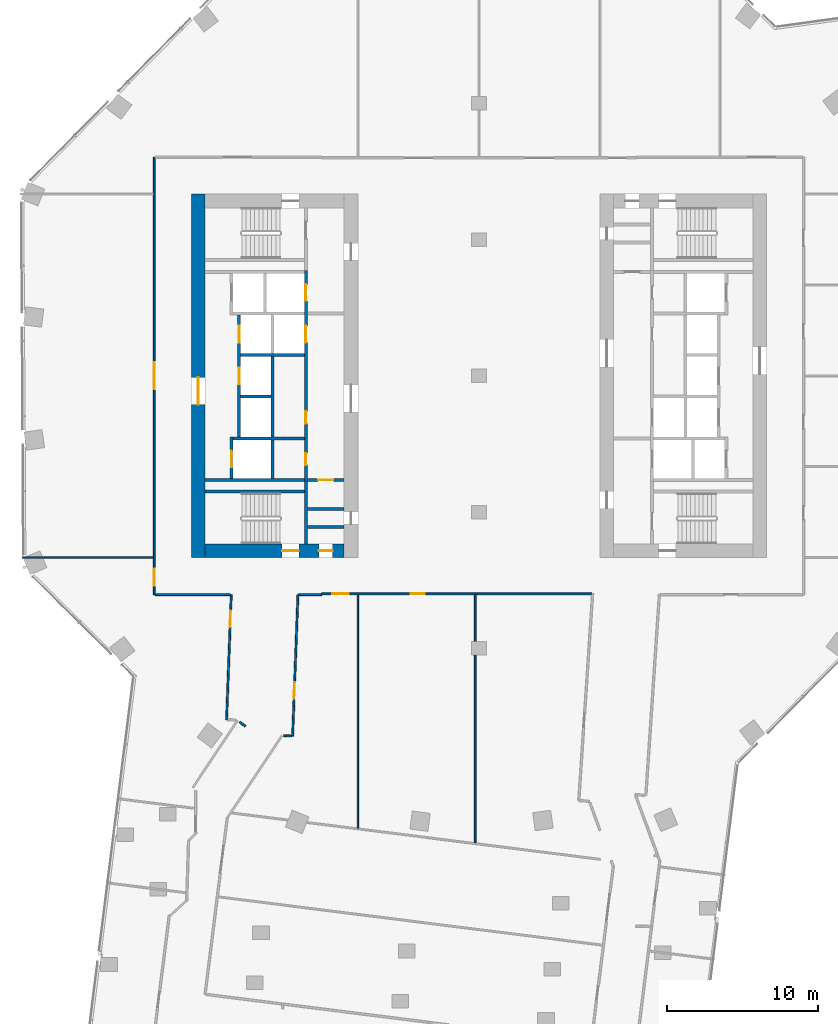
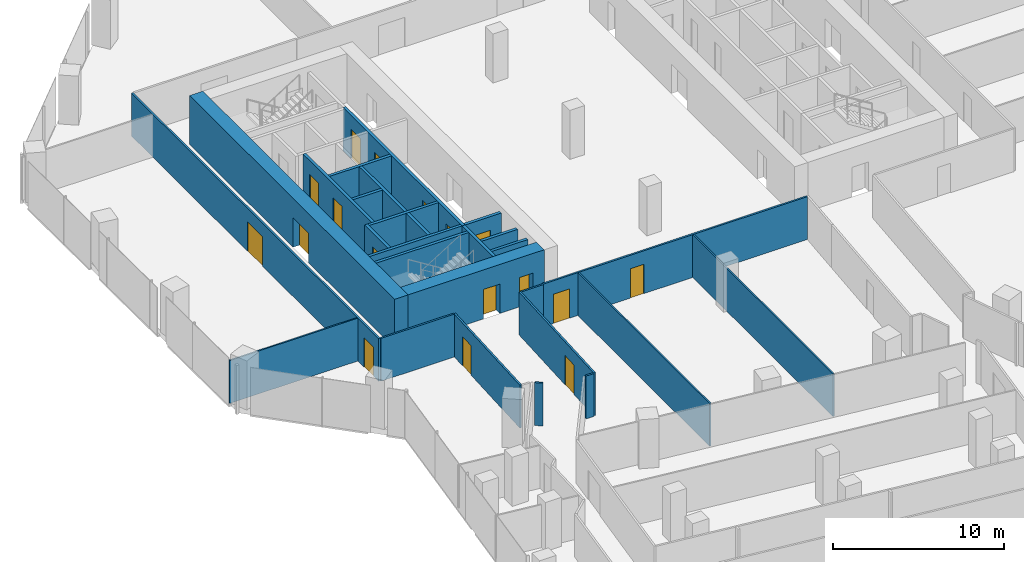
# One storey, part 20 of 27: 27 walls, 17 doors, 17 openings.
"""IFC4 building model written with IfcOpenShell, lengths in metres."""

from ifc_helpers import new_model, si_unit, direction, frame, frame_2d, origin, place, context, subcontext, project, spatial, rectangle, extrude, material, layer, layer_set, type_object, element, fill, save


model = new_model("IFC4")

# Units and contexts
model_context = context("Model", 3, precision=1e-05, world=origin(), true_north=direction((0.0, 1.0)))
body_context = subcontext(model_context, "Body", "Model", "MODEL_VIEW")
ifc_project = project(units=[si_unit("LENGTHUNIT", "METRE"), si_unit("AREAUNIT", "SQUARE_METRE"), si_unit("VOLUMEUNIT", "CUBIC_METRE"), si_unit("PLANEANGLEUNIT", "RADIAN"), si_unit("MASSUNIT", "GRAM", prefix="KILO")], contexts=[model_context])

# Site, building, storey
site_placement = place(None, origin())
site = spatial("IfcSite", under=ifc_project, at=site_placement, CompositionType="ELEMENT")
building_placement = place(site_placement, origin())
building = spatial("IfcBuilding", under=site, at=building_placement, Name="Orlundy Tower", CompositionType="ELEMENT")
storey_placement = place(building_placement, frame((0.0, 0.0, 192.10009765625)))
storey = spatial("IfcBuildingStorey", under=building, at=storey_placement, Name="L50", CompositionType="ELEMENT", Elevation=192.10009765625)

# Wall, openings, doors
ifc_material_1 = material(Name="Concrete C70/85", Category="concrete")
ifc_layer_1 = layer(ifc_material_1, 0.89990234375)
ifc_layer_set_1 = layer_set([ifc_layer_1], Name="CORE WALL 900 C70/85")
wall_type_1 = type_object("IfcWallType", Name="CORE WALL 900 C70/85", PredefinedType="SHEAR", material=ifc_layer_set_1)
wall_1_placement = place(storey_placement, frame((-18.10009765625, -11.550048828125, 0.0), z_axis=(0.0, 0.0, 1.0), x_axis=(1.0, 0.0, 0.0)))
wall_1 = element("IfcWall", 1, at=wall_1_placement, inside=storey, type_object=wall_type_1, Name="Core wall W-S L50", PredefinedType="SHEAR", context=body_context, shape_type="SweptSolid", body=[
    extrude(rectangle(XDim=9.2001953125, YDim=0.89990234375, at=frame_2d((4.60009765625, 0.0))), origin(), (0.0, 0.0, 1.0), 3.5),
])
opening_1_placement = place(wall_1_placement, frame((5.10009765625, 0.0, 0.0)))
opening_1 = element("IfcOpeningElement", 2, at=opening_1_placement, cuts=wall_1, Name="Opening 39013", PredefinedType="OPENING", context=body_context, shape_type="SweptSolid", body=[
    extrude(rectangle(XDim=1.10009765625, YDim=2.10009765625, at=frame_2d((0.550048828125, 1.050048828125))), frame((0.0, 0.4599609375, 0.0), z_axis=(0.0, -1.0, 0.0), x_axis=(1.0, 0.0, 0.0)), (0.0, 0.0, 1.0), 0.919921875),
])
opening_2_placement = place(wall_1_placement, frame((7.530029296875, 0.0, 0.0)))
opening_2 = element("IfcOpeningElement", 3, at=opening_2_placement, cuts=wall_1, Name="Opening 39015", PredefinedType="OPENING", context=body_context, shape_type="SweptSolid", body=[
    extrude(rectangle(XDim=0.89990234375, YDim=2.10009765625, at=frame_2d((0.449951171875, 1.050048828125))), frame((0.0, 0.4599609375, 0.0), z_axis=(0.0, -1.0, 0.0), x_axis=(1.0, 0.0, 0.0)), (0.0, 0.0, 1.0), 0.919921875),
])
ifc_material_2 = material(Name="Timber door set", Category="wood")
door_type_1 = type_object("IfcDoorType", Name="Room Door 900x2100", OperationType="SINGLE_SWING_LEFT", PredefinedType="DOOR", material=ifc_material_2)
door_1_placement = place(opening_2_placement, origin())
door_1 = element("IfcDoor", 4, at=door_1_placement, inside=storey, type_object=door_type_1, Name="Store door 39015", OperationType="SINGLE_SWING_RIGHT", OverallHeight=2.10009765625, OverallWidth=0.89990234375, PredefinedType="DOOR", context=body_context, shape_type="SweptSolid", body=[
    extrude(rectangle(XDim=0.89990234375, YDim=2.10009765625, at=frame_2d((0.449951171875, 1.050048828125))), frame((0.0, 0.02490234375, 0.0), z_axis=(0.0, -1.0, 0.0), x_axis=(1.0, 0.0, 0.0)), (0.0, 0.0, 1.0), 0.050048828125),
])
fill(opening_2, door_1)
ifc_material_3 = material(Name="Steel door set", Category="steel")
door_type_2 = type_object("IfcDoorType", Name="Stair Door 1100x2100", OperationType="SINGLE_SWING_LEFT", PredefinedType="DOOR", material=ifc_material_3)
door_2_placement = place(opening_1_placement, origin())
door_2 = element("IfcDoor", 5, at=door_2_placement, inside=storey, type_object=door_type_2, Name="Stair door 39013", OperationType="SINGLE_SWING_RIGHT", OverallHeight=2.10009765625, OverallWidth=1.10009765625, PredefinedType="DOOR", context=body_context, shape_type="SweptSolid", body=[
    extrude(rectangle(XDim=1.10009765625, YDim=2.10009765625, at=frame_2d((0.550048828125, 1.050048828125))), frame((0.0, 0.02490234375, 0.0), z_axis=(0.0, -1.0, 0.0), x_axis=(1.0, 0.0, 0.0)), (0.0, 0.0, 1.0), 0.050048828125),
])
fill(opening_1, door_2)

# Wall, opening, door
wall_2_placement = place(storey_placement, frame((-18.550048828125, -12.0, 0.0), z_axis=(0.0, 0.0, 1.0), x_axis=(0.0, 1.0, 0.0)))
wall_2 = element("IfcWall", 6, at=wall_2_placement, inside=storey, type_object=wall_type_1, Name="Core wall W-W L50", PredefinedType="SHEAR", context=body_context, shape_type="SweptSolid", body=[
    extrude(rectangle(XDim=24.0, YDim=0.89990234375, at=frame_2d((12.0, 0.0))), origin(), (0.0, 0.0, 1.0), 3.5),
])
opening_3_placement = place(wall_2_placement, frame((10.10009765625, 0.0, 0.0)))
opening_3 = element("IfcOpeningElement", 7, at=opening_3_placement, cuts=wall_2, Name="Opening 39010", PredefinedType="OPENING", context=body_context, shape_type="SweptSolid", body=[
    extrude(rectangle(XDim=1.800048828125, YDim=2.10009765625, at=frame_2d((0.89990234375, 1.050048828125))), frame((0.0, 0.4599609375, 0.0), z_axis=(0.0, -1.0, 0.0), x_axis=(1.0, 0.0, 0.0)), (0.0, 0.0, 1.0), 0.919921875),
])
ifc_material_4 = material(Name="Timber door set", Category="wood")
door_type_3 = type_object("IfcDoorType", Name="Lobby Door 1800x2100", OperationType="DOUBLE_DOOR_DOUBLE_SWING", PredefinedType="DOOR", material=ifc_material_4)
door_3_placement = place(opening_3_placement, origin())
door_3 = element("IfcDoor", 8, at=door_3_placement, inside=storey, type_object=door_type_3, Name="Lift lobby door 39010", OperationType="SINGLE_SWING_LEFT", OverallHeight=2.10009765625, OverallWidth=1.800048828125, PredefinedType="DOOR", context=body_context, shape_type="SweptSolid", body=[
    extrude(rectangle(XDim=1.800048828125, YDim=2.10009765625, at=frame_2d((0.89990234375, 1.050048828125))), frame((0.0, 0.02490234375, 0.0), z_axis=(0.0, -1.0, 0.0), x_axis=(1.0, 0.0, 0.0)), (0.0, 0.0, 1.0), 0.050048828125),
])
fill(opening_3, door_3)

# Walls
ifc_material_5 = material(Name="Gypsum board partition")
ifc_layer_2 = layer(ifc_material_5, 0.10009765625)
ifc_layer_set_2 = layer_set([ifc_layer_2], Name="Floor partition 100")
wall_type_2 = type_object("IfcWallType", Name="Floor partition 100", PredefinedType="PARTITIONING", material=ifc_layer_set_2)
wall_3_placement = place(storey_placement, frame((-30.179931640625, -12.0, 0.0), z_axis=(0.0, 0.0, 1.0), x_axis=(1.0, 0.0, 0.0)))
element("IfcWall", 9, at=wall_3_placement, inside=storey, type_object=wall_type_2, Name="wall-int-L50-033", PredefinedType="PARTITIONING", context=body_context, shape_type="SweptSolid", body=[
    extrude(rectangle(XDim=8.66796875, YDim=0.10009765625, at=frame_2d((4.333984375, 0.0))), origin(), (0.0, 0.0, 1.0), 3.059814453125),
])
wall_4_placement = place(storey_placement, frame((-0.242919921875, -30.85400390625, 0.0), z_axis=(0.0, 0.0, 1.0), x_axis=(0.0, 1.0, 0.0)))
element("IfcWall", 10, at=wall_4_placement, inside=storey, type_object=wall_type_2, Name="wall-int-L50-072", PredefinedType="PARTITIONING", context=body_context, shape_type="SweptSolid", body=[
    extrude(rectangle(XDim=16.39111328125, YDim=0.10009765625, at=frame_2d((8.195556640625, 0.0))), origin(), (0.0, 0.0, 1.0), 3.059814453125),
])
wall_5_placement = place(storey_placement, frame((-8.0, -29.87890625, 0.0), z_axis=(0.0, 0.0, 1.0), x_axis=(0.0, 1.0, 0.0)))
element("IfcWall", 11, at=wall_5_placement, inside=storey, type_object=wall_type_2, Name="wall-int-L50-074", PredefinedType="PARTITIONING", context=body_context, shape_type="SweptSolid", body=[
    extrude(rectangle(XDim=15.416015625, YDim=0.10009765625, at=frame_2d((7.7080078125, 0.0))), origin(), (0.0, 0.0, 1.0), 3.059814453125),
])
ifc_material_6 = material(Name="Gypsum board partition, double layer")
ifc_layer_3 = layer(ifc_material_6, 0.125)
ifc_layer_set_3 = layer_set([ifc_layer_3], Name="Floor partition 125")
wall_type_3 = type_object("IfcWallType", Name="Floor partition 125", PredefinedType="PARTITIONING", material=ifc_layer_set_3)
wall_6_placement = place(storey_placement, frame((-15.81201171875, -22.864013671875, 0.0), z_axis=(0.0, 0.0, 1.0), x_axis=(0.800662960461, -0.599115033817, 0.0)))
element("IfcWall", 12, at=wall_6_placement, inside=storey, type_object=wall_type_3, Name="wall-int-L50-005", PredefinedType="PARTITIONING", context=body_context, shape_type="SweptSolid", body=[
    extrude(rectangle(XDim=0.48583984375, YDim=0.125, at=frame_2d((0.242919921875, 0.0))), origin(), (0.0, 0.0, 1.0), 3.059814453125),
])
wall_7_placement = place(storey_placement, frame((-12.89697265625, -23.77294921875, 0.0), z_axis=(0.0, 0.0, 1.0), x_axis=(0.99927617333, -0.038041154231, 0.0)))
element("IfcWall", 13, at=wall_7_placement, inside=storey, type_object=wall_type_3, Name="wall-int-L50-024", PredefinedType="PARTITIONING", context=body_context, shape_type="SweptSolid", body=[
    extrude(rectangle(XDim=0.5263671875, YDim=0.125, at=frame_2d((0.26318359375, 0.0))), origin(), (0.0, 0.0, 1.0), 3.059814453125),
])
wall_8_placement = place(storey_placement, frame((-21.386962890625, -14.450927734375, 0.0), z_axis=(0.0, 0.0, 1.0), x_axis=(1.0, 0.0, 0.0)))
element("IfcWall", 14, at=wall_8_placement, inside=storey, type_object=wall_type_3, Name="wall-int-L50-029", PredefinedType="PARTITIONING", context=body_context, shape_type="SweptSolid", body=[
    extrude(rectangle(XDim=4.962890625, YDim=0.125, at=frame_2d((2.4814453125, 0.0))), origin(), (0.0, 0.0, 1.0), 3.059814453125),
])
wall_9_placement = place(storey_placement, frame((-11.89501953125, -14.450927734375, 0.0), z_axis=(0.0, 0.0, 1.0), x_axis=(1.0, 0.0, 0.0)))
element("IfcWall", 15, at=wall_9_placement, inside=storey, type_object=wall_type_3, Name="wall-int-L50-030", PredefinedType="PARTITIONING", context=body_context, shape_type="SweptSolid", body=[
    extrude(rectangle(XDim=1.50390625, YDim=0.125, at=frame_2d((0.751953125, 0.0))), origin(), (0.0, 0.0, 1.0), 3.059814453125),
])

# Wall, openings, doors
wall_10_placement = place(storey_placement, frame((7.449951171875, -14.40087890625, 0.0), z_axis=(0.0, 0.0, 1.0), x_axis=(-1.0, 0.0, 0.0)))
wall_10 = element("IfcWall", 16, at=wall_10_placement, inside=storey, type_object=wall_type_3, Name="wall-int-L50-032", PredefinedType="PARTITIONING", context=body_context, shape_type="SweptSolid", body=[
    extrude(rectangle(XDim=17.83984375, YDim=0.125, at=frame_2d((8.919921875, 0.0))), origin(), (0.0, 0.0, 1.0), 3.059814453125),
])
opening_4_placement = place(wall_10_placement, frame((16.050537109375, 0.0, 0.0)))
opening_4 = element("IfcOpeningElement", 17, at=opening_4_placement, cuts=wall_10, Name="Opening 39114", PredefinedType="OPENING", context=body_context, shape_type="SweptSolid", body=[
    extrude(rectangle(XDim=1.10009765625, YDim=2.10009765625, at=frame_2d((0.550048828125, 1.050048828125))), frame((0.0, 0.072509765625, 0.0), z_axis=(0.0, -1.0, 0.0), x_axis=(1.0, 0.0, 0.0)), (0.0, 0.0, 1.0), 0.14501953125),
])
opening_5_placement = place(wall_10_placement, frame((11.04345703125, 0.0, 0.0)))
opening_5 = element("IfcOpeningElement", 18, at=opening_5_placement, cuts=wall_10, Name="Opening 39115", PredefinedType="OPENING", context=body_context, shape_type="SweptSolid", body=[
    extrude(rectangle(XDim=0.89990234375, YDim=2.10009765625, at=frame_2d((0.449951171875, 1.050048828125))), frame((0.0, 0.072509765625, 0.0), z_axis=(0.0, -1.0, 0.0), x_axis=(1.0, 0.0, 0.0)), (0.0, 0.0, 1.0), 0.14501953125),
])
ifc_material_7 = material(Name="Timber door leaf", Category="wood")
door_type_4 = type_object("IfcDoorType", Name="Floor door single 900 FD30S", OperationType="NOTDEFINED", PredefinedType="DOOR", material=ifc_material_7)
door_4_placement = place(opening_5_placement, origin())
door_4 = element("IfcDoor", 19, at=door_4_placement, inside=storey, type_object=door_type_4, Name="Door 39115", OperationType="SINGLE_SWING_RIGHT", OverallHeight=2.10009765625, OverallWidth=0.89990234375, PredefinedType="DOOR", context=body_context, shape_type="SweptSolid", body=[
    extrude(rectangle(XDim=0.89990234375, YDim=2.10009765625, at=frame_2d((0.449951171875, 1.050048828125))), frame((0.0, 0.02490234375, 0.0), z_axis=(0.0, -1.0, 0.0), x_axis=(1.0, 0.0, 0.0)), (0.0, 0.0, 1.0), 0.050048828125),
])
fill(opening_5, door_4)
ifc_material_8 = material(Name="Timber door leaf", Category="wood")
door_type_5 = type_object("IfcDoorType", Name="Floor door xwide 1100 FD30S", OperationType="NOTDEFINED", PredefinedType="DOOR", material=ifc_material_8)
door_5_placement = place(opening_4_placement, origin())
door_5 = element("IfcDoor", 20, at=door_5_placement, inside=storey, type_object=door_type_5, Name="Door 39114", OperationType="SINGLE_SWING_RIGHT", OverallHeight=2.10009765625, OverallWidth=1.10009765625, PredefinedType="DOOR", context=body_context, shape_type="SweptSolid", body=[
    extrude(rectangle(XDim=1.10009765625, YDim=2.10009765625, at=frame_2d((0.550048828125, 1.050048828125))), frame((0.0, 0.02490234375, 0.0), z_axis=(0.0, -1.0, 0.0), x_axis=(1.0, 0.0, 0.0)), (0.0, 0.0, 1.0), 0.050048828125),
])
fill(opening_4, door_5)

# Wall, opening, door
wall_11_placement = place(storey_placement, frame((-11.95703125, -14.449951171875, 0.0), z_axis=(0.0, 0.0, 1.0), x_axis=(-0.037646049024, -0.999291136253, 0.0)))
wall_11 = element("IfcWall", 21, at=wall_11_placement, inside=storey, type_object=wall_type_3, Name="wall-int-L50-065", PredefinedType="PARTITIONING", context=body_context, shape_type="SweptSolid", body=[
    extrude(rectangle(XDim=9.3515625, YDim=0.125, at=frame_2d((4.67578125, 0.0))), origin(), (0.0, 0.0, 1.0), 3.059814453125),
])
opening_6_placement = place(wall_11_placement, frame((5.7822265625, 0.0, 0.0)))
opening_6 = element("IfcOpeningElement", 22, at=opening_6_placement, cuts=wall_11, Name="Opening 39113", PredefinedType="OPENING", context=body_context, shape_type="SweptSolid", body=[
    extrude(rectangle(XDim=1.10009765625, YDim=2.10009765625, at=frame_2d((0.550048828125, 1.050048828125))), frame((0.0, 0.072509765625, 0.0), z_axis=(0.0, -1.0, 0.0), x_axis=(1.0, 0.0, 0.0)), (0.0, 0.0, 1.0), 0.14501953125),
])
door_6_placement = place(opening_6_placement, origin())
door_6 = element("IfcDoor", 23, at=door_6_placement, inside=storey, type_object=door_type_5, Name="Door 39113", OperationType="SINGLE_SWING_RIGHT", OverallHeight=2.10009765625, OverallWidth=1.10009765625, PredefinedType="DOOR", context=body_context, shape_type="SweptSolid", body=[
    extrude(rectangle(XDim=1.10009765625, YDim=2.10009765625, at=frame_2d((0.550048828125, 1.050048828125))), frame((0.0, 0.02490234375, 0.0), z_axis=(0.0, -1.0, 0.0), x_axis=(1.0, 0.0, 0.0)), (0.0, 0.0, 1.0), 0.050048828125),
])
fill(opening_6, door_6)

wall_12_placement = place(storey_placement, frame((-16.673095703125, -22.717041015625, 0.0), z_axis=(0.0, 0.0, 1.0), x_axis=(0.037714570023, 0.999288552525, 0.0)))
wall_12 = element("IfcWall", 24, at=wall_12_placement, inside=storey, type_object=wall_type_3, Name="wall-int-L50-066", PredefinedType="PARTITIONING", context=body_context, shape_type="SweptSolid", body=[
    extrude(rectangle(XDim=8.27294921875, YDim=0.125, at=frame_2d((4.136474609375, 0.0))), origin(), (0.0, 0.0, 1.0), 3.059814453125),
])
opening_7_placement = place(wall_12_placement, frame((6.107666015625, 0.0, 0.0)))
opening_7 = element("IfcOpeningElement", 25, at=opening_7_placement, cuts=wall_12, Name="Opening 39112", PredefinedType="OPENING", context=body_context, shape_type="SweptSolid", body=[
    extrude(rectangle(XDim=1.10009765625, YDim=2.10009765625, at=frame_2d((0.550048828125, 1.050048828125))), frame((0.0, 0.072509765625, 0.0), z_axis=(0.0, -1.0, 0.0), x_axis=(1.0, 0.0, 0.0)), (0.0, 0.0, 1.0), 0.14501953125),
])
door_7_placement = place(opening_7_placement, origin())
door_7 = element("IfcDoor", 26, at=door_7_placement, inside=storey, type_object=door_type_5, Name="Door 39112", OperationType="SINGLE_SWING_RIGHT", OverallHeight=2.10009765625, OverallWidth=1.10009765625, PredefinedType="DOOR", context=body_context, shape_type="SweptSolid", body=[
    extrude(rectangle(XDim=1.10009765625, YDim=2.10009765625, at=frame_2d((0.550048828125, 1.050048828125))), frame((0.0, 0.02490234375, 0.0), z_axis=(0.0, -1.0, 0.0), x_axis=(1.0, 0.0, 0.0)), (0.0, 0.0, 1.0), 0.050048828125),
])
fill(opening_7, door_7)

# Wall, openings, doors
wall_13_placement = place(storey_placement, frame((-21.449951171875, -14.450927734375, 0.0), z_axis=(0.0, 0.0, 1.0), x_axis=(0.0, 1.0, 0.0)))
wall_13 = element("IfcWall", 27, at=wall_13_placement, inside=storey, type_object=wall_type_3, Name="wall-int-L50-078", PredefinedType="PARTITIONING", context=body_context, shape_type="SweptSolid", body=[
    extrude(rectangle(XDim=28.90185546875, YDim=0.125, at=frame_2d((14.450927734375, 0.0))), origin(), (0.0, 0.0, 1.0), 3.059814453125),
])
opening_8_placement = place(wall_13_placement, frame((0.60009765625, 0.0, 0.0)))
opening_8 = element("IfcOpeningElement", 28, at=opening_8_placement, cuts=wall_13, Name="Opening 39111", PredefinedType="OPENING", context=body_context, shape_type="SweptSolid", body=[
    extrude(rectangle(XDim=1.10009765625, YDim=2.10009765625, at=frame_2d((0.550048828125, 1.050048828125))), frame((0.0, 0.072509765625, 0.0), z_axis=(0.0, -1.0, 0.0), x_axis=(1.0, 0.0, 0.0)), (0.0, 0.0, 1.0), 0.14501953125),
])
opening_9_placement = place(wall_13_placement, frame((13.551025390625, 0.0, 0.0)))
opening_9 = element("IfcOpeningElement", 29, at=opening_9_placement, cuts=wall_13, Name="Opening 39127", PredefinedType="OPENING", context=body_context, shape_type="SweptSolid", body=[
    extrude(rectangle(XDim=1.800048828125, YDim=2.10009765625, at=frame_2d((0.89990234375, 1.050048828125))), frame((0.0, 0.072509765625, 0.0), z_axis=(0.0, -1.0, 0.0), x_axis=(1.0, 0.0, 0.0)), (0.0, 0.0, 1.0), 0.14501953125),
])
ifc_material_9 = material(Name="Timber door leaf", Category="wood")
door_type_6 = type_object("IfcDoorType", Name="Floor door double 1800 FD30S", OperationType="NOTDEFINED", PredefinedType="DOOR", material=ifc_material_9)
door_8_placement = place(opening_9_placement, origin())
door_8 = element("IfcDoor", 30, at=door_8_placement, inside=storey, type_object=door_type_6, Name="Door 39127", OperationType="DOUBLE_DOOR_SINGLE_SWING", OverallHeight=2.10009765625, OverallWidth=1.800048828125, PredefinedType="DOOR", context=body_context, shape_type="SweptSolid", body=[
    extrude(rectangle(XDim=1.800048828125, YDim=2.10009765625, at=frame_2d((0.89990234375, 1.050048828125))), frame((0.0, 0.02490234375, 0.0), z_axis=(0.0, -1.0, 0.0), x_axis=(1.0, 0.0, 0.0)), (0.0, 0.0, 1.0), 0.050048828125),
])
fill(opening_9, door_8)
door_9_placement = place(opening_8_placement, origin())
door_9 = element("IfcDoor", 31, at=door_9_placement, inside=storey, type_object=door_type_5, Name="Door 39111", OperationType="SINGLE_SWING_LEFT", OverallHeight=2.10009765625, OverallWidth=1.10009765625, PredefinedType="DOOR", context=body_context, shape_type="SweptSolid", body=[
    extrude(rectangle(XDim=1.10009765625, YDim=2.10009765625, at=frame_2d((0.550048828125, 1.050048828125))), frame((0.0, 0.02490234375, 0.0), z_axis=(0.0, -1.0, 0.0), x_axis=(1.0, 0.0, 0.0)), (0.0, 0.0, 1.0), 0.050048828125),
])
fill(opening_8, door_9)

# Walls
ifc_material_10 = material(Name="Concrete C40/50", Category="concrete")
ifc_layer_4 = layer(ifc_material_10, 0.199951171875)
ifc_layer_set_4 = layer_set([ifc_layer_4], Name="Load-bearing Shaft Wall 200")
wall_type_4 = type_object("IfcWallType", Name="Load-bearing Shaft Wall 200", PredefinedType="SOLIDWALL", material=ifc_layer_set_4)
wall_14_placement = place(storey_placement, frame((-11.43994140625, -11.10009765625, 0.0), z_axis=(0.0, 0.0, 1.0), x_axis=(0.0, 1.0, 0.0)))
element("IfcWall", 32, at=wall_14_placement, inside=storey, type_object=wall_type_4, Name="Shaft wall W39-stair-end-s", PredefinedType="SOLIDWALL", context=body_context, shape_type="SweptSolid", body=[
    extrude(rectangle(XDim=4.125, YDim=0.199951171875, at=frame_2d((2.0625, 0.0))), origin(), (0.0, 0.0, 1.0), 3.079833984375),
])
wall_15_placement = place(storey_placement, frame((-11.5400390625, -7.64990234375, 0.0), z_axis=(0.0, 0.0, 1.0), x_axis=(-1.0, 0.0, 0.0)))
element("IfcWall", 33, at=wall_15_placement, inside=storey, type_object=wall_type_4, Name="Shaft wall W39-stair-side-s", PredefinedType="SOLIDWALL", context=body_context, shape_type="SweptSolid", body=[
    extrude(rectangle(XDim=6.56005859375, YDim=0.199951171875, at=frame_2d((3.280029296875, 0.0))), origin(), (0.0, 0.0, 1.0), 3.079833984375),
])

# Wall, opening, door
ifc_material_11 = material(Name="Gypsum board partition on steel studs", Category="steel")
ifc_layer_5 = layer(ifc_material_11, 0.199951171875)
ifc_layer_set_5 = layer_set([ifc_layer_5], Name="Partition 200")
wall_type_5 = type_object("IfcWallType", Name="Partition 200", PredefinedType="PARTITIONING", material=ifc_layer_set_5)
wall_16_placement = place(storey_placement, frame((-8.89990234375, -6.875, 0.0), z_axis=(0.0, 0.0, 1.0), x_axis=(-1.0, 0.0, 0.0)))
wall_16 = element("IfcWall", 34, at=wall_16_placement, inside=storey, type_object=wall_type_5, Name="Partition wall W39-end-s", PredefinedType="PARTITIONING", context=body_context, shape_type="SweptSolid", body=[
    extrude(rectangle(XDim=2.440185546875, YDim=0.199951171875, at=frame_2d((1.22021484375, 0.0))), origin(), (0.0, 0.0, 1.0), 3.079833984375),
])
opening_10_placement = place(wall_16_placement, frame((0.719970703125, 0.0, 0.0)))
opening_10 = element("IfcOpeningElement", 35, at=opening_10_placement, cuts=wall_16, Name="Opening 39017", PredefinedType="OPENING", context=body_context, shape_type="SweptSolid", body=[
    extrude(rectangle(XDim=1.0, YDim=2.10009765625, at=frame_2d((0.5, 1.050048828125))), frame((0.0, 0.110107421875, 0.0), z_axis=(0.0, -1.0, 0.0), x_axis=(1.0, 0.0, 0.0)), (0.0, 0.0, 1.0), 0.22021484375),
])
ifc_material_12 = material(Name="Timber door set", Category="wood")
door_type_7 = type_object("IfcDoorType", Name="Accessible Door 1000x2100", OperationType="SINGLE_SWING_LEFT", PredefinedType="DOOR", material=ifc_material_12)
door_10_placement = place(opening_10_placement, origin())
door_10 = element("IfcDoor", 36, at=door_10_placement, inside=storey, type_object=door_type_7, Name="Accessible WC door 39017", OperationType="SINGLE_SWING_RIGHT", OverallHeight=2.10009765625, OverallWidth=1.0, PredefinedType="DOOR", context=body_context, shape_type="SweptSolid", body=[
    extrude(rectangle(XDim=1.0, YDim=2.10009765625, at=frame_2d((0.5, 1.050048828125))), frame((0.0, 0.02490234375, 0.0), z_axis=(0.0, -1.0, 0.0), x_axis=(1.0, 0.0, 0.0)), (0.0, 0.0, 1.0), 0.050048828125),
])
fill(opening_10, door_10)

# Walls
for number, where, z_axis, x_axis, name in (
    (37, (-8.89990234375, -10.0, 0.0), (0.0, 0.0, 1.0), (-1.0, 0.0, 0.0), "Partition wall W39-room-s0"),
    (38, (-8.89990234375, -8.800048828125, 0.0), (0.0, 0.0, 1.0), (-1.0, 0.0, 0.0), "Partition wall W39-room-s1"),
):
    element("IfcWall", number, at=place(storey_placement, frame(where, z_axis=z_axis, x_axis=x_axis)), inside=storey, type_object=wall_type_5, Name=name, PredefinedType="PARTITIONING", context=body_context, shape_type="SweptSolid", body=[
        extrude(rectangle(XDim=2.440185546875, YDim=0.199951171875, at=frame_2d((1.22021484375, 0.0))), origin(), (0.0, 0.0, 1.0), 3.079833984375),
    ])
ifc_material_13 = material(Name="Fire-rated blockwork shaft wall", Category="masonry")
ifc_layer_6 = layer(ifc_material_13, 0.199951171875)
ifc_layer_set_6 = layer_set([ifc_layer_6], Name="Shaft Wall 200")
wall_type_6 = type_object("IfcWallType", Name="Shaft Wall 200", PredefinedType="SOLIDWALL", material=ifc_layer_set_6)
wall_17_placement = place(storey_placement, frame((-11.5400390625, -6.875, 0.0), z_axis=(0.0, 0.0, 1.0), x_axis=(-1.0, 0.0, 0.0)))
element("IfcWall", 39, at=wall_17_placement, inside=storey, type_object=wall_type_6, Name="Shaft wall W39-zone-s", PredefinedType="SOLIDWALL", context=body_context, shape_type="SweptSolid", body=[
    extrude(rectangle(XDim=6.56005859375, YDim=0.199951171875, at=frame_2d((3.280029296875, 0.0))), origin(), (0.0, 0.0, 1.0), 3.079833984375),
])
wall_18_placement = place(storey_placement, frame((-11.5400390625, -4.125, 0.0), z_axis=(0.0, 0.0, 1.0), x_axis=(-1.0, 0.0, 0.0)))
element("IfcWall", 40, at=wall_18_placement, inside=storey, type_object=wall_type_6, Name="Shaft wall W39-cross-4.125", PredefinedType="SOLIDWALL", context=body_context, shape_type="SweptSolid", body=[
    extrude(rectangle(XDim=4.699951171875, YDim=0.199951171875, at=frame_2d((2.35009765625, 0.0))), origin(), (0.0, 0.0, 1.0), 3.079833984375),
])
wall_19_placement = place(storey_placement, frame((-13.739990234375, -1.375, 0.0), z_axis=(0.0, 0.0, 1.0), x_axis=(-1.0, 0.0, 0.0)))
element("IfcWall", 41, at=wall_19_placement, inside=storey, type_object=wall_type_6, Name="Shaft wall W39-cross-1.375", PredefinedType="SOLIDWALL", context=body_context, shape_type="SweptSolid", body=[
    extrude(rectangle(XDim=2.0, YDim=0.199951171875, at=frame_2d((1.0, 0.0))), origin(), (0.0, 0.0, 1.0), 3.079833984375),
])
wall_20_placement = place(storey_placement, frame((-11.5400390625, 1.375, 0.0), z_axis=(0.0, 0.0, 1.0), x_axis=(-1.0, 0.0, 0.0)))
element("IfcWall", 42, at=wall_20_placement, inside=storey, type_object=wall_type_6, Name="Shaft wall W39-cross+1.375", PredefinedType="SOLIDWALL", context=body_context, shape_type="SweptSolid", body=[
    extrude(rectangle(XDim=4.199951171875, YDim=0.199951171875, at=frame_2d((2.10009765625, 0.0))), origin(), (0.0, 0.0, 1.0), 3.079833984375),
])

# Wall, openings, doors
wall_21_placement = place(storey_placement, frame((-11.43994140625, -6.97509765625, 0.0), z_axis=(0.0, 0.0, 1.0), x_axis=(0.0, 1.0, 0.0)))
wall_21 = element("IfcWall", 43, at=wall_21_placement, inside=storey, type_object=wall_type_6, Name="Shaft wall W39-front-h", PredefinedType="SOLIDWALL", context=body_context, shape_type="SweptSolid", body=[
    extrude(rectangle(XDim=13.9501953125, YDim=0.199951171875, at=frame_2d((6.97509765625, 0.0))), origin(), (0.0, 0.0, 1.0), 3.079833984375),
])
opening_11_placement = place(wall_21_placement, frame((9.175048828125, 0.0, 0.0)))
opening_11 = element("IfcOpeningElement", 44, at=opening_11_placement, cuts=wall_21, Name="Opening 39003", PredefinedType="OPENING", context=body_context, shape_type="SweptSolid", body=[
    extrude(rectangle(XDim=1.10009765625, YDim=2.10009765625, at=frame_2d((0.550048828125, 1.050048828125))), frame((0.0, 0.110107421875, 0.0), z_axis=(0.0, -1.0, 0.0), x_axis=(1.0, 0.0, 0.0)), (0.0, 0.0, 1.0), 0.22021484375),
])
opening_12_placement = place(wall_21_placement, frame((11.925048828125, 0.0, 0.0)))
opening_12 = element("IfcOpeningElement", 45, at=opening_12_placement, cuts=wall_21, Name="Opening 39005", PredefinedType="OPENING", context=body_context, shape_type="SweptSolid", body=[
    extrude(rectangle(XDim=1.10009765625, YDim=2.10009765625, at=frame_2d((0.550048828125, 1.050048828125))), frame((0.0, 0.110107421875, 0.0), z_axis=(0.0, -1.0, 0.0), x_axis=(1.0, 0.0, 0.0)), (0.0, 0.0, 1.0), 0.22021484375),
])
opening_13_placement = place(wall_21_placement, frame((1.074951171875, 0.0, 0.0)))
opening_13 = element("IfcOpeningElement", 46, at=opening_13_placement, cuts=wall_21, Name="Opening 39007", PredefinedType="OPENING", context=body_context, shape_type="SweptSolid", body=[
    extrude(rectangle(XDim=0.800048828125, YDim=2.10009765625, at=frame_2d((0.39990234375, 1.050048828125))), frame((0.0, 0.110107421875, 0.0), z_axis=(0.0, -1.0, 0.0), x_axis=(1.0, 0.0, 0.0)), (0.0, 0.0, 1.0), 0.22021484375),
])
opening_14_placement = place(wall_21_placement, frame((3.824951171875, 0.0, 0.0)))
opening_14 = element("IfcOpeningElement", 47, at=opening_14_placement, cuts=wall_21, Name="Opening 39008", PredefinedType="OPENING", context=body_context, shape_type="SweptSolid", body=[
    extrude(rectangle(XDim=0.800048828125, YDim=2.10009765625, at=frame_2d((0.39990234375, 1.050048828125))), frame((0.0, 0.110107421875, 0.0), z_axis=(0.0, -1.0, 0.0), x_axis=(1.0, 0.0, 0.0)), (0.0, 0.0, 1.0), 0.22021484375),
])
ifc_material_14 = material(Name="Steel door set", Category="steel")
door_type_8 = type_object("IfcDoorType", Name="Landing Door 1100x2100", OperationType="DOUBLE_DOOR_SLIDING", PredefinedType="DOOR", material=ifc_material_14)
door_11_placement = place(opening_11_placement, origin())
door_11 = element("IfcDoor", 48, at=door_11_placement, inside=storey, type_object=door_type_8, Name="Lift landing door LP-12 39003", OperationType="DOUBLE_DOOR_SLIDING", OverallHeight=2.10009765625, OverallWidth=1.10009765625, PredefinedType="DOOR", context=body_context, shape_type="SweptSolid", body=[
    extrude(rectangle(XDim=1.10009765625, YDim=2.10009765625, at=frame_2d((0.550048828125, 1.050048828125))), frame((0.0, 0.02490234375, 0.0), z_axis=(0.0, -1.0, 0.0), x_axis=(1.0, 0.0, 0.0)), (0.0, 0.0, 1.0), 0.050048828125),
])
fill(opening_11, door_11)
door_12_placement = place(opening_12_placement, origin())
door_12 = element("IfcDoor", 49, at=door_12_placement, inside=storey, type_object=door_type_8, Name="Lift landing door FL1 39005", OperationType="DOUBLE_DOOR_SLIDING", OverallHeight=2.10009765625, OverallWidth=1.10009765625, PredefinedType="DOOR", context=body_context, shape_type="SweptSolid", body=[
    extrude(rectangle(XDim=1.10009765625, YDim=2.10009765625, at=frame_2d((0.550048828125, 1.050048828125))), frame((0.0, 0.02490234375, 0.0), z_axis=(0.0, -1.0, 0.0), x_axis=(1.0, 0.0, 0.0)), (0.0, 0.0, 1.0), 0.050048828125),
])
fill(opening_12, door_12)
ifc_material_15 = material(Name="Timber door set", Category="wood")
door_type_9 = type_object("IfcDoorType", Name="Riser Door 800x2100", OperationType="SINGLE_SWING_LEFT", PredefinedType="DOOR", material=ifc_material_15)
door_13_placement = place(opening_13_placement, origin())
door_13 = element("IfcDoor", 50, at=door_13_placement, inside=storey, type_object=door_type_9, Name="Electrical Riser Room door 39007", OperationType="SINGLE_SWING_LEFT", OverallHeight=2.10009765625, OverallWidth=0.800048828125, PredefinedType="DOOR", context=body_context, shape_type="SweptSolid", body=[
    extrude(rectangle(XDim=0.800048828125, YDim=2.10009765625, at=frame_2d((0.39990234375, 1.050048828125))), frame((0.0, 0.02490234375, 0.0), z_axis=(0.0, -1.0, 0.0), x_axis=(1.0, 0.0, 0.0)), (0.0, 0.0, 1.0), 0.050048828125),
])
fill(opening_13, door_13)
door_14_placement = place(opening_14_placement, origin())
door_14 = element("IfcDoor", 51, at=door_14_placement, inside=storey, type_object=door_type_9, Name="Plumbing Riser door 39008", OperationType="SINGLE_SWING_LEFT", OverallHeight=2.10009765625, OverallWidth=0.800048828125, PredefinedType="DOOR", context=body_context, shape_type="SweptSolid", body=[
    extrude(rectangle(XDim=0.800048828125, YDim=2.10009765625, at=frame_2d((0.39990234375, 1.050048828125))), frame((0.0, 0.02490234375, 0.0), z_axis=(0.0, -1.0, 0.0), x_axis=(1.0, 0.0, 0.0)), (0.0, 0.0, 1.0), 0.050048828125),
])
fill(opening_14, door_14)

# Walls
wall_22_placement = place(storey_placement, frame((-13.639892578125, -6.77490234375, 0.0), z_axis=(0.0, 0.0, 1.0), x_axis=(0.0, 1.0, 0.0)))
element("IfcWall", 52, at=wall_22_placement, inside=storey, type_object=wall_type_6, Name="Shaft wall W39-mid-a", PredefinedType="SOLIDWALL", context=body_context, shape_type="SweptSolid", body=[
    extrude(rectangle(XDim=2.5498046875, YDim=0.199951171875, at=frame_2d((1.27490234375, 0.0))), origin(), (0.0, 0.0, 1.0), 3.079833984375),
])
wall_23_placement = place(storey_placement, frame((-13.639892578125, -4.02490234375, 0.0), z_axis=(0.0, 0.0, 1.0), x_axis=(0.0, 1.0, 0.0)))
element("IfcWall", 53, at=wall_23_placement, inside=storey, type_object=wall_type_6, Name="Shaft wall W39-mid-a.1", PredefinedType="SOLIDWALL", context=body_context, shape_type="SweptSolid", body=[
    extrude(rectangle(XDim=5.2998046875, YDim=0.199951171875, at=frame_2d((2.64990234375, 0.0))), origin(), (0.0, 0.0, 1.0), 3.079833984375),
])

# Wall, opening, door
wall_24_placement = place(storey_placement, frame((-16.340087890625, -6.77490234375, 0.0), z_axis=(0.0, 0.0, 1.0), x_axis=(0.0, 1.0, 0.0)))
wall_24 = element("IfcWall", 54, at=wall_24_placement, inside=storey, type_object=wall_type_6, Name="Shaft wall W39-front-o-a", PredefinedType="SOLIDWALL", context=body_context, shape_type="SweptSolid", body=[
    extrude(rectangle(XDim=2.75, YDim=0.199951171875, at=frame_2d((1.375, 0.0))), origin(), (0.0, 0.0, 1.0), 3.079833984375),
])
opening_15_placement = place(wall_24_placement, frame((0.72509765625, 0.0, 0.0)))
opening_15 = element("IfcOpeningElement", 55, at=opening_15_placement, cuts=wall_24, Name="Opening 39001", PredefinedType="OPENING", context=body_context, shape_type="SweptSolid", body=[
    extrude(rectangle(XDim=1.10009765625, YDim=2.10009765625, at=frame_2d((0.550048828125, 1.050048828125))), frame((0.0, 0.110107421875, 0.0), z_axis=(0.0, -1.0, 0.0), x_axis=(1.0, 0.0, 0.0)), (0.0, 0.0, 1.0), 0.22021484375),
])
door_15_placement = place(opening_15_placement, origin())
door_15 = element("IfcDoor", 56, at=door_15_placement, inside=storey, type_object=door_type_8, Name="Lift landing door LV-01 39001", OperationType="DOUBLE_DOOR_SLIDING", OverallHeight=2.10009765625, OverallWidth=1.10009765625, PredefinedType="DOOR", context=body_context, shape_type="SweptSolid", body=[
    extrude(rectangle(XDim=1.10009765625, YDim=2.10009765625, at=frame_2d((0.550048828125, 1.050048828125))), frame((0.0, 0.02490234375, 0.0), z_axis=(0.0, -1.0, 0.0), x_axis=(1.0, 0.0, 0.0)), (0.0, 0.0, 1.0), 0.050048828125),
])
fill(opening_15, door_15)

# Wall, openings, doors
wall_25_placement = place(storey_placement, frame((-15.840087890625, -4.02490234375, 0.0), z_axis=(0.0, 0.0, 1.0), x_axis=(0.0, 1.0, 0.0)))
wall_25 = element("IfcWall", 57, at=wall_25_placement, inside=storey, type_object=wall_type_6, Name="Shaft wall W39-front-o-b", PredefinedType="SOLIDWALL", context=body_context, shape_type="SweptSolid", body=[
    extrude(rectangle(XDim=8.0498046875, YDim=0.199951171875, at=frame_2d((4.02490234375, 0.0))), origin(), (0.0, 0.0, 1.0), 3.079833984375),
])
opening_16_placement = place(wall_25_placement, frame((3.47509765625, 0.0, 0.0)))
opening_16 = element("IfcOpeningElement", 58, at=opening_16_placement, cuts=wall_25, Name="Opening 39002", PredefinedType="OPENING", context=body_context, shape_type="SweptSolid", body=[
    extrude(rectangle(XDim=1.10009765625, YDim=2.10009765625, at=frame_2d((0.550048828125, 1.050048828125))), frame((0.0, 0.110107421875, 0.0), z_axis=(0.0, -1.0, 0.0), x_axis=(1.0, 0.0, 0.0)), (0.0, 0.0, 1.0), 0.22021484375),
])
opening_17_placement = place(wall_25_placement, frame((6.22509765625, 0.0, 0.0)))
opening_17 = element("IfcOpeningElement", 59, at=opening_17_placement, cuts=wall_25, Name="Opening 39004", PredefinedType="OPENING", context=body_context, shape_type="SweptSolid", body=[
    extrude(rectangle(XDim=1.10009765625, YDim=2.10009765625, at=frame_2d((0.550048828125, 1.050048828125))), frame((0.0, 0.110107421875, 0.0), z_axis=(0.0, -1.0, 0.0), x_axis=(1.0, 0.0, 0.0)), (0.0, 0.0, 1.0), 0.22021484375),
])
door_16_placement = place(opening_16_placement, origin())
door_16 = element("IfcDoor", 60, at=door_16_placement, inside=storey, type_object=door_type_8, Name="Lift landing door LP-11 39002", OperationType="DOUBLE_DOOR_SLIDING", OverallHeight=2.10009765625, OverallWidth=1.10009765625, PredefinedType="DOOR", context=body_context, shape_type="SweptSolid", body=[
    extrude(rectangle(XDim=1.10009765625, YDim=2.10009765625, at=frame_2d((0.550048828125, 1.050048828125))), frame((0.0, 0.02490234375, 0.0), z_axis=(0.0, -1.0, 0.0), x_axis=(1.0, 0.0, 0.0)), (0.0, 0.0, 1.0), 0.050048828125),
])
fill(opening_16, door_16)
door_17_placement = place(opening_17_placement, origin())
door_17 = element("IfcDoor", 61, at=door_17_placement, inside=storey, type_object=door_type_8, Name="Lift landing door LP-13 39004", OperationType="DOUBLE_DOOR_SLIDING", OverallHeight=2.10009765625, OverallWidth=1.10009765625, PredefinedType="DOOR", context=body_context, shape_type="SweptSolid", body=[
    extrude(rectangle(XDim=1.10009765625, YDim=2.10009765625, at=frame_2d((0.550048828125, 1.050048828125))), frame((0.0, 0.02490234375, 0.0), z_axis=(0.0, -1.0, 0.0), x_axis=(1.0, 0.0, 0.0)), (0.0, 0.0, 1.0), 0.050048828125),
])
fill(opening_17, door_17)

save(model, "model.ifc")
